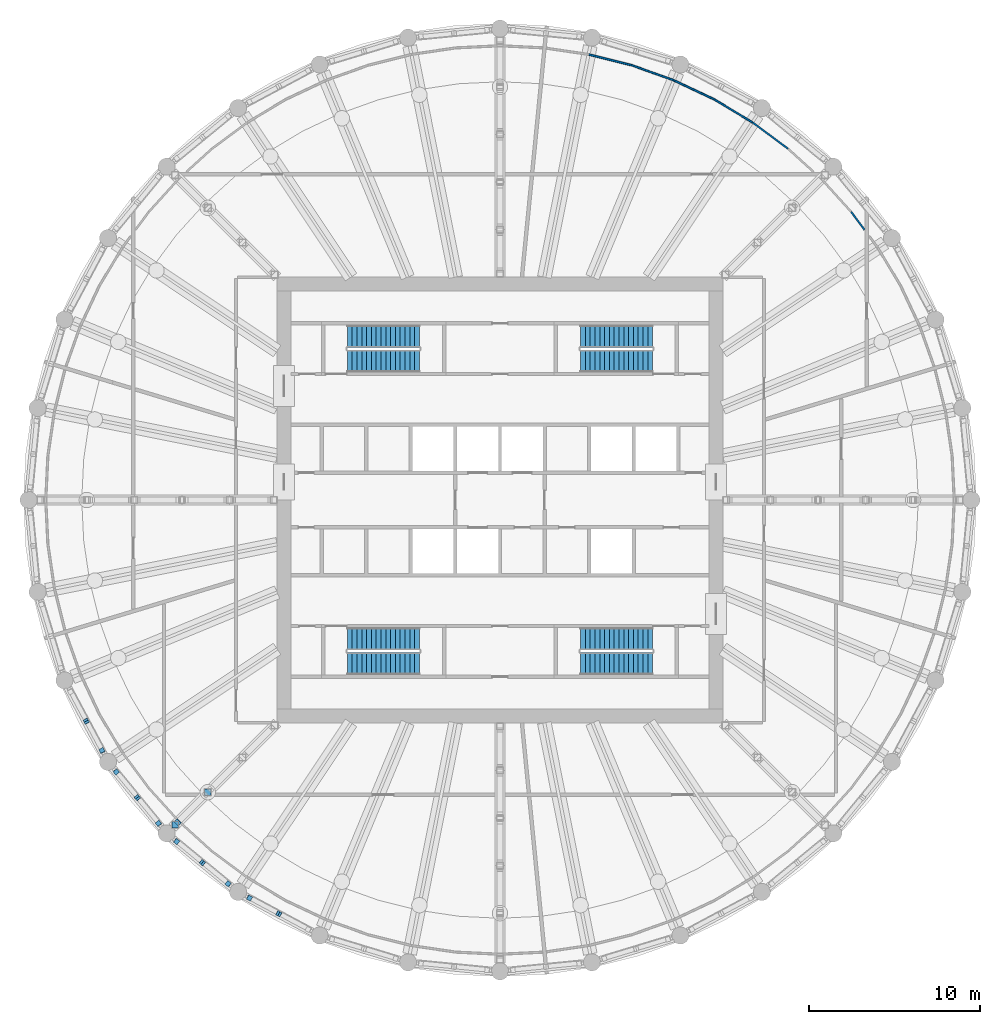
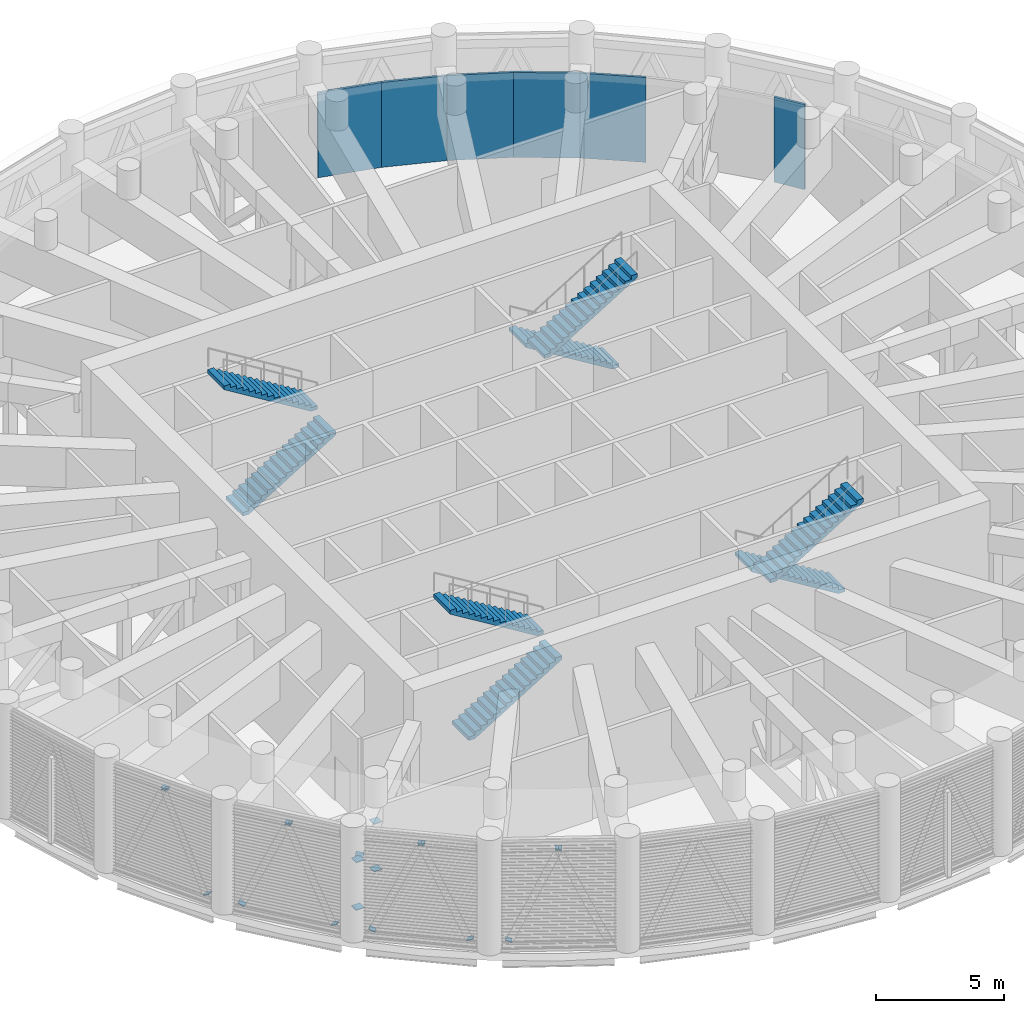
# One storey, part 12 of 24: 19 discrete accessories, 8 stair flights, 6 walls, 4 elements without a shape of their own.
"""IFC4 building model written with IfcOpenShell, lengths in metres."""

from ifc_helpers import new_model, si_unit, direction, frame, frame_2d, origin, origin_2d, place, context, subcontext, project, spatial, polyline, rectangle, outline, extrude, material, layer, layer_set, material_profile, profile_set, type_object, element, aggregate, save


model = new_model("IFC4")

# Units and contexts
model_context = context("Model", 3, precision=1e-05, world=origin(), true_north=direction((0.0, 1.0)))
body_context = subcontext(model_context, "Body", "Model", "MODEL_VIEW")
ifc_project = project(units=[si_unit("LENGTHUNIT", "METRE"), si_unit("AREAUNIT", "SQUARE_METRE"), si_unit("VOLUMEUNIT", "CUBIC_METRE"), si_unit("PLANEANGLEUNIT", "RADIAN"), si_unit("MASSUNIT", "GRAM", prefix="KILO")], contexts=[model_context])

# Site, building, storey
site_placement = place(None, origin())
site = spatial("IfcSite", under=ifc_project, at=site_placement, CompositionType="ELEMENT")
building_placement = place(site_placement, origin())
building = spatial("IfcBuilding", under=site, at=building_placement, Name="Corvane Civic Tower", CompositionType="ELEMENT")
storey_placement = place(building_placement, frame((0.0, 0.0, 257.5)))
storey = spatial("IfcBuildingStorey", under=building, at=storey_placement, Name="L61", CompositionType="ELEMENT", Elevation=257.5)

# Walls
ifc_material_1 = material(Name="Plasterboard")
ifc_layer = layer(ifc_material_1, 0.10009765625)
ifc_layer_set = layer_set([ifc_layer], Name="Plasterboard")
wall_type = type_object("IfcWallType", Name="Partition 100 plasterboard on studs", PredefinedType="PARTITIONING", material=ifc_layer_set)
wall_1_placement = place(storey_placement, frame((20.48388671875, 16.810546875, 0.0), z_axis=(0.0, 0.0, 1.0), x_axis=(0.595644195201, -0.803248400386, 0.0)))
element("IfcWall", 1, at=wall_1_placement, inside=storey, type_object=wall_type, Name="Partition L61.037", PredefinedType="PARTITIONING", context=body_context, shape_type="SweptSolid", body=[
    extrude(rectangle(XDim=1.302978515625, YDim=0.10009765625, at=frame_2d((0.6513671875, 0.0))), origin(), (0.0, 0.0, 1.0), 4.050048828125),
])
for number, where, z_axis, x_axis, name in (
    (2, (14.721923828125, 22.032958984375, 0.0), (0.0, 0.0, 1.0), (0.80319946448, -0.595710181429, 0.0), "Partition L61.045"),
    (3, (12.491455078125, 23.36962890625, 0.0), (0.0, 0.0, 1.0), (0.857766186151, -0.514040046977, 0.0), "Partition L61.047"),
):
    element("IfcWall", number, at=place(storey_placement, frame(where, z_axis=z_axis, x_axis=x_axis)), inside=storey, type_object=wall_type, Name=name, PredefinedType="PARTITIONING", context=body_context, shape_type="SweptSolid", body=[
        extrude(rectangle(XDim=2.600341796875, YDim=0.10009765625, at=frame_2d((1.30029296875, 0.0))), origin(), (0.0, 0.0, 1.0), 4.050048828125),
    ])
for number, where, z_axis, x_axis, name in (
    (4, (10.140625, 24.481689453125, 0.0), (0.0, 0.0, 1.0), (0.903959458652, -0.427618167427, 0.0), "Partition L61.049"),
    (5, (7.692138671875, 25.35791015625, 0.0), (0.0, 0.0, 1.0), (0.941527196798, -0.336936993649, 0.0), "Partition L61.051"),
):
    element("IfcWall", number, at=place(storey_placement, frame(where, z_axis=z_axis, x_axis=x_axis)), inside=storey, type_object=wall_type, Name=name, PredefinedType="PARTITIONING", context=body_context, shape_type="SweptSolid", body=[
        extrude(rectangle(XDim=2.6005859375, YDim=0.10009765625, at=frame_2d((1.30029296875, 0.0))), origin(), (0.0, 0.0, 1.0), 4.050048828125),
    ])
wall_2_placement = place(storey_placement, frame((5.169677734375, 25.98974609375, 0.0), z_axis=(0.0, 0.0, 1.0), x_axis=(0.970031945218, -0.242977417172, 0.0)))
element("IfcWall", 6, at=wall_2_placement, inside=storey, type_object=wall_type, Name="Partition L61.053", PredefinedType="PARTITIONING", context=body_context, shape_type="SweptSolid", body=[
    extrude(rectangle(XDim=2.600341796875, YDim=0.10009765625, at=frame_2d((1.30029296875, 0.0))), origin(), (0.0, 0.0, 1.0), 4.050048828125),
])

# Stair, stair flights
ifc_material_2 = material(Name="Concrete C40/50", Category="concrete")
stair_type = type_object("IfcStairType", Name="ST-STAIR-HALFTURN", PredefinedType="HALF_TURN_STAIR", material=ifc_material_2)
stair_1_placement = place(storey_placement, origin())
stair_1 = element("IfcStair", 7, at=stair_1_placement, inside=storey, type_object=stair_type, Name="L61 Exit stair ST1", PredefinedType="HALF_TURN_STAIR")
ifc_material_3 = material(Name="Concrete C40/50", Category="concrete")
stair_flight_type = type_object("IfcStairFlightType", Name="ST-FLIGHT-RC", PredefinedType="STRAIGHT", material=ifc_material_3)
stair_flight_1_placement = place(storey_placement, frame((8.89990234375, 9.550048828125, 0.0), z_axis=(0.0, 0.0, 1.0), x_axis=(-1.0, 0.0, 0.0)))
stair_flight_1 = element("IfcStairFlight", 8, at=stair_flight_1_placement, type_object=stair_flight_type, Name="ST1 flight 1", NumberOfRisers=16, NumberOfTreads=15, PredefinedType="STRAIGHT", RiserHeight=0.171875, TreadLength=0.28, context=body_context, shape_type="SweptSolid", body=[
    extrude(outline(polyline([(0.0, 0.0), (0.0, 0.171875), (0.280029296875, 0.171875), (0.280029296875, 0.34375), (0.56005859375, 0.34375), (0.56005859375, 0.515625), (0.840087890625, 0.515625), (0.840087890625, 0.6875), (1.1201171875, 0.6875), (1.1201171875, 0.859375), (1.39990234375, 0.859375), (1.39990234375, 1.03125), (1.679931640625, 1.03125), (1.679931640625, 1.203125), (1.9599609375, 1.203125), (1.9599609375, 1.375), (2.239990234375, 1.375), (2.239990234375, 1.546875), (2.52001953125, 1.546875), (2.52001953125, 1.71875), (2.800048828125, 1.71875), (2.800048828125, 1.890625), (3.080078125, 1.890625), (3.080078125, 2.0625), (3.360107421875, 2.0625), (3.360107421875, 2.234375), (3.639892578125, 2.234375), (3.639892578125, 2.40625), (3.919921875, 2.40625), (3.919921875, 2.578125), (4.199951171875, 2.578125), (4.199951171875, 2.75), (4.199951171875, 2.40234375), (0.28662109375, 0.0), (0.0, 0.0)])), frame((0.0, 0.64990234375, 0.0), z_axis=(0.0, -1.0, 0.0), x_axis=(1.0, 0.0, 0.0)), (0.0, 0.0, 1.0), 1.300048828125),
])
stair_flight_2_placement = place(storey_placement, frame((4.699951171875, 8.10009765625, 2.75), z_axis=(0.0, 0.0, 1.0), x_axis=(1.0, 0.0, 0.0)))
stair_flight_2 = element("IfcStairFlight", 9, at=stair_flight_2_placement, type_object=stair_flight_type, Name="ST1 flight 2", NumberOfRisers=16, NumberOfTreads=15, PredefinedType="STRAIGHT", RiserHeight=0.171875, TreadLength=0.28, context=body_context, shape_type="SweptSolid", body=[
    extrude(outline(polyline([(0.0, 0.0), (0.0, 0.171875), (0.280029296875, 0.171875), (0.280029296875, 0.34375), (0.56005859375, 0.34375), (0.56005859375, 0.515625), (0.840087890625, 0.515625), (0.840087890625, 0.6875), (1.1201171875, 0.6875), (1.1201171875, 0.859375), (1.39990234375, 0.859375), (1.39990234375, 1.03125), (1.679931640625, 1.03125), (1.679931640625, 1.203125), (1.9599609375, 1.203125), (1.9599609375, 1.375), (2.239990234375, 1.375), (2.239990234375, 1.546875), (2.52001953125, 1.546875), (2.52001953125, 1.71875), (2.800048828125, 1.71875), (2.800048828125, 1.890625), (3.080078125, 1.890625), (3.080078125, 2.0625), (3.360107421875, 2.0625), (3.360107421875, 2.234375), (3.639892578125, 2.234375), (3.639892578125, 2.40625), (3.919921875, 2.40625), (3.919921875, 2.578125), (4.199951171875, 2.578125), (4.199951171875, 2.75), (4.199951171875, 2.40234375), (0.28662109375, 0.0), (0.0, 0.0)])), frame((0.0, 0.64990234375, 0.0), z_axis=(0.0, -1.0, 0.0), x_axis=(1.0, 0.0, 0.0)), (0.0, 0.0, 1.0), 1.300048828125),
])
aggregate(stair_1, [stair_flight_1, stair_flight_2])

stair_2_placement = place(storey_placement, origin())
stair_2 = element("IfcStair", 10, at=stair_2_placement, inside=storey, type_object=stair_type, Name="L61 Exit stair ST2", PredefinedType="HALF_TURN_STAIR")
stair_flight_3_placement = place(storey_placement, frame((8.89990234375, -8.10009765625, 0.0), z_axis=(0.0, 0.0, 1.0), x_axis=(-1.0, 0.0, 0.0)))
stair_flight_3 = element("IfcStairFlight", 11, at=stair_flight_3_placement, type_object=stair_flight_type, Name="ST2 flight 1", NumberOfRisers=16, NumberOfTreads=15, PredefinedType="STRAIGHT", RiserHeight=0.171875, TreadLength=0.28, context=body_context, shape_type="SweptSolid", body=[
    extrude(outline(polyline([(0.0, 0.0), (0.0, 0.171875), (0.280029296875, 0.171875), (0.280029296875, 0.34375), (0.56005859375, 0.34375), (0.56005859375, 0.515625), (0.840087890625, 0.515625), (0.840087890625, 0.6875), (1.1201171875, 0.6875), (1.1201171875, 0.859375), (1.39990234375, 0.859375), (1.39990234375, 1.03125), (1.679931640625, 1.03125), (1.679931640625, 1.203125), (1.9599609375, 1.203125), (1.9599609375, 1.375), (2.239990234375, 1.375), (2.239990234375, 1.546875), (2.52001953125, 1.546875), (2.52001953125, 1.71875), (2.800048828125, 1.71875), (2.800048828125, 1.890625), (3.080078125, 1.890625), (3.080078125, 2.0625), (3.360107421875, 2.0625), (3.360107421875, 2.234375), (3.639892578125, 2.234375), (3.639892578125, 2.40625), (3.919921875, 2.40625), (3.919921875, 2.578125), (4.199951171875, 2.578125), (4.199951171875, 2.75), (4.199951171875, 2.40234375), (0.28662109375, 0.0), (0.0, 0.0)])), frame((0.0, 0.64990234375, 0.0), z_axis=(0.0, -1.0, 0.0), x_axis=(1.0, 0.0, 0.0)), (0.0, 0.0, 1.0), 1.300048828125),
])
stair_flight_4_placement = place(storey_placement, frame((4.699951171875, -9.550048828125, 2.75), z_axis=(0.0, 0.0, 1.0), x_axis=(1.0, 0.0, 0.0)))
stair_flight_4 = element("IfcStairFlight", 12, at=stair_flight_4_placement, type_object=stair_flight_type, Name="ST2 flight 2", NumberOfRisers=16, NumberOfTreads=15, PredefinedType="STRAIGHT", RiserHeight=0.171875, TreadLength=0.28, context=body_context, shape_type="SweptSolid", body=[
    extrude(outline(polyline([(0.0, 0.0), (0.0, 0.171875), (0.280029296875, 0.171875), (0.280029296875, 0.34375), (0.56005859375, 0.34375), (0.56005859375, 0.515625), (0.840087890625, 0.515625), (0.840087890625, 0.6875), (1.1201171875, 0.6875), (1.1201171875, 0.859375), (1.39990234375, 0.859375), (1.39990234375, 1.03125), (1.679931640625, 1.03125), (1.679931640625, 1.203125), (1.9599609375, 1.203125), (1.9599609375, 1.375), (2.239990234375, 1.375), (2.239990234375, 1.546875), (2.52001953125, 1.546875), (2.52001953125, 1.71875), (2.800048828125, 1.71875), (2.800048828125, 1.890625), (3.080078125, 1.890625), (3.080078125, 2.0625), (3.360107421875, 2.0625), (3.360107421875, 2.234375), (3.639892578125, 2.234375), (3.639892578125, 2.40625), (3.919921875, 2.40625), (3.919921875, 2.578125), (4.199951171875, 2.578125), (4.199951171875, 2.75), (4.199951171875, 2.40234375), (0.28662109375, 0.0), (0.0, 0.0)])), frame((0.0, 0.64990234375, 0.0), z_axis=(0.0, -1.0, 0.0), x_axis=(1.0, 0.0, 0.0)), (0.0, 0.0, 1.0), 1.300048828125),
])
aggregate(stair_2, [stair_flight_3, stair_flight_4])

stair_3_placement = place(storey_placement, origin())
stair_3 = element("IfcStair", 13, at=stair_3_placement, inside=storey, type_object=stair_type, Name="L61 Exit stair ST3", PredefinedType="HALF_TURN_STAIR")
stair_flight_5_placement = place(storey_placement, frame((-8.89990234375, -9.550048828125, 0.0), z_axis=(0.0, 0.0, 1.0), x_axis=(1.0, 0.0, 0.0)))
stair_flight_5 = element("IfcStairFlight", 14, at=stair_flight_5_placement, type_object=stair_flight_type, Name="ST3 flight 1", NumberOfRisers=16, NumberOfTreads=15, PredefinedType="STRAIGHT", RiserHeight=0.171875, TreadLength=0.28, context=body_context, shape_type="SweptSolid", body=[
    extrude(outline(polyline([(0.0, 0.0), (0.0, 0.171875), (0.280029296875, 0.171875), (0.280029296875, 0.34375), (0.56005859375, 0.34375), (0.56005859375, 0.515625), (0.840087890625, 0.515625), (0.840087890625, 0.6875), (1.1201171875, 0.6875), (1.1201171875, 0.859375), (1.39990234375, 0.859375), (1.39990234375, 1.03125), (1.679931640625, 1.03125), (1.679931640625, 1.203125), (1.9599609375, 1.203125), (1.9599609375, 1.375), (2.239990234375, 1.375), (2.239990234375, 1.546875), (2.52001953125, 1.546875), (2.52001953125, 1.71875), (2.800048828125, 1.71875), (2.800048828125, 1.890625), (3.080078125, 1.890625), (3.080078125, 2.0625), (3.360107421875, 2.0625), (3.360107421875, 2.234375), (3.639892578125, 2.234375), (3.639892578125, 2.40625), (3.919921875, 2.40625), (3.919921875, 2.578125), (4.199951171875, 2.578125), (4.199951171875, 2.75), (4.199951171875, 2.40234375), (0.28662109375, 0.0), (0.0, 0.0)])), frame((0.0, 0.64990234375, 0.0), z_axis=(0.0, -1.0, 0.0), x_axis=(1.0, 0.0, 0.0)), (0.0, 0.0, 1.0), 1.300048828125),
])
stair_flight_6_placement = place(storey_placement, frame((-4.699951171875, -8.10009765625, 2.75), z_axis=(0.0, 0.0, 1.0), x_axis=(-1.0, 0.0, 0.0)))
stair_flight_6 = element("IfcStairFlight", 15, at=stair_flight_6_placement, type_object=stair_flight_type, Name="ST3 flight 2", NumberOfRisers=16, NumberOfTreads=15, PredefinedType="STRAIGHT", RiserHeight=0.171875, TreadLength=0.28, context=body_context, shape_type="SweptSolid", body=[
    extrude(outline(polyline([(0.0, 0.0), (0.0, 0.171875), (0.280029296875, 0.171875), (0.280029296875, 0.34375), (0.56005859375, 0.34375), (0.56005859375, 0.515625), (0.840087890625, 0.515625), (0.840087890625, 0.6875), (1.1201171875, 0.6875), (1.1201171875, 0.859375), (1.39990234375, 0.859375), (1.39990234375, 1.03125), (1.679931640625, 1.03125), (1.679931640625, 1.203125), (1.9599609375, 1.203125), (1.9599609375, 1.375), (2.239990234375, 1.375), (2.239990234375, 1.546875), (2.52001953125, 1.546875), (2.52001953125, 1.71875), (2.800048828125, 1.71875), (2.800048828125, 1.890625), (3.080078125, 1.890625), (3.080078125, 2.0625), (3.360107421875, 2.0625), (3.360107421875, 2.234375), (3.639892578125, 2.234375), (3.639892578125, 2.40625), (3.919921875, 2.40625), (3.919921875, 2.578125), (4.199951171875, 2.578125), (4.199951171875, 2.75), (4.199951171875, 2.40234375), (0.28662109375, 0.0), (0.0, 0.0)])), frame((0.0, 0.64990234375, 0.0), z_axis=(0.0, -1.0, 0.0), x_axis=(1.0, 0.0, 0.0)), (0.0, 0.0, 1.0), 1.300048828125),
])
aggregate(stair_3, [stair_flight_5, stair_flight_6])

stair_4_placement = place(storey_placement, origin())
stair_4 = element("IfcStair", 16, at=stair_4_placement, inside=storey, type_object=stair_type, Name="L61 Exit stair ST4", PredefinedType="HALF_TURN_STAIR")
stair_flight_7_placement = place(storey_placement, frame((-8.89990234375, 8.10009765625, 0.0), z_axis=(0.0, 0.0, 1.0), x_axis=(1.0, 0.0, 0.0)))
stair_flight_7 = element("IfcStairFlight", 17, at=stair_flight_7_placement, type_object=stair_flight_type, Name="ST4 flight 1", NumberOfRisers=16, NumberOfTreads=15, PredefinedType="STRAIGHT", RiserHeight=0.171875, TreadLength=0.28, context=body_context, shape_type="SweptSolid", body=[
    extrude(outline(polyline([(0.0, 0.0), (0.0, 0.171875), (0.280029296875, 0.171875), (0.280029296875, 0.34375), (0.56005859375, 0.34375), (0.56005859375, 0.515625), (0.840087890625, 0.515625), (0.840087890625, 0.6875), (1.1201171875, 0.6875), (1.1201171875, 0.859375), (1.39990234375, 0.859375), (1.39990234375, 1.03125), (1.679931640625, 1.03125), (1.679931640625, 1.203125), (1.9599609375, 1.203125), (1.9599609375, 1.375), (2.239990234375, 1.375), (2.239990234375, 1.546875), (2.52001953125, 1.546875), (2.52001953125, 1.71875), (2.800048828125, 1.71875), (2.800048828125, 1.890625), (3.080078125, 1.890625), (3.080078125, 2.0625), (3.360107421875, 2.0625), (3.360107421875, 2.234375), (3.639892578125, 2.234375), (3.639892578125, 2.40625), (3.919921875, 2.40625), (3.919921875, 2.578125), (4.199951171875, 2.578125), (4.199951171875, 2.75), (4.199951171875, 2.40234375), (0.28662109375, 0.0), (0.0, 0.0)])), frame((0.0, 0.64990234375, 0.0), z_axis=(0.0, -1.0, 0.0), x_axis=(1.0, 0.0, 0.0)), (0.0, 0.0, 1.0), 1.300048828125),
])
stair_flight_8_placement = place(storey_placement, frame((-4.699951171875, 9.550048828125, 2.75), z_axis=(0.0, 0.0, 1.0), x_axis=(-1.0, 0.0, 0.0)))
stair_flight_8 = element("IfcStairFlight", 18, at=stair_flight_8_placement, type_object=stair_flight_type, Name="ST4 flight 2", NumberOfRisers=16, NumberOfTreads=15, PredefinedType="STRAIGHT", RiserHeight=0.171875, TreadLength=0.28, context=body_context, shape_type="SweptSolid", body=[
    extrude(outline(polyline([(0.0, 0.0), (0.0, 0.171875), (0.280029296875, 0.171875), (0.280029296875, 0.34375), (0.56005859375, 0.34375), (0.56005859375, 0.515625), (0.840087890625, 0.515625), (0.840087890625, 0.6875), (1.1201171875, 0.6875), (1.1201171875, 0.859375), (1.39990234375, 0.859375), (1.39990234375, 1.03125), (1.679931640625, 1.03125), (1.679931640625, 1.203125), (1.9599609375, 1.203125), (1.9599609375, 1.375), (2.239990234375, 1.375), (2.239990234375, 1.546875), (2.52001953125, 1.546875), (2.52001953125, 1.71875), (2.800048828125, 1.71875), (2.800048828125, 1.890625), (3.080078125, 1.890625), (3.080078125, 2.0625), (3.360107421875, 2.0625), (3.360107421875, 2.234375), (3.639892578125, 2.234375), (3.639892578125, 2.40625), (3.919921875, 2.40625), (3.919921875, 2.578125), (4.199951171875, 2.578125), (4.199951171875, 2.75), (4.199951171875, 2.40234375), (0.28662109375, 0.0), (0.0, 0.0)])), frame((0.0, 0.64990234375, 0.0), z_axis=(0.0, -1.0, 0.0), x_axis=(1.0, 0.0, 0.0)), (0.0, 0.0, 1.0), 1.300048828125),
])
aggregate(stair_4, [stair_flight_7, stair_flight_8])

# Discrete accessories
ifc_material_4 = material(Name="Steel ASTM A572 Gr 50", Category="steel")
ifc_material_profile_1 = material_profile(ifc_material_4, rectangle(XDim=0.2802734375, YDim=0.2802734375, at=origin_2d()), Name="GUSSET PLATE 25 IN HSS12X12X1/2")
ifc_profile_set_1 = profile_set([ifc_material_profile_1], Name="Steel ASTM A572 Gr 50")
discrete_accessory_type_1 = type_object("IfcDiscreteAccessoryType", Name="GUSSET PLATE 25 IN HSS12X12X1/2", PredefinedType="BRACKET", material=ifc_profile_set_1)
discrete_accessory_1_placement = place(storey_placement, frame((-12.90087890625, -24.13623046875, 4.74365234375), z_axis=(0.359953516674, -0.184840995049, -0.914476501821), x_axis=(0.456804684993, 0.889567018144, 0.0)))
element("IfcDiscreteAccessory", 19, at=discrete_accessory_1_placement, inside=storey, type_object=discrete_accessory_type_1, Name="Gusset plate BD1 end B", PredefinedType="BRACKET", context=body_context, shape_type="SweptSolid", body=[
    extrude(rectangle(XDim=0.2802734375, YDim=0.2802734375, at=origin_2d()), origin(), (0.0, 0.0, 1.0), 0.025146484375),
])
discrete_accessory_2_placement = place(storey_placement, frame((-14.61669921875, -23.218994140625, 0.406494140625), z_axis=(0.362501282592, -0.195946639239, 0.911151872461), x_axis=(0.475517034365, 0.879706513576, 0.0)))
element("IfcDiscreteAccessory", 20, at=discrete_accessory_2_placement, inside=storey, type_object=discrete_accessory_type_1, Name="Gusset plate BD1 end A", PredefinedType="BRACKET", context=body_context, shape_type="SweptSolid", body=[
    extrude(rectangle(XDim=0.2802734375, YDim=0.2802734375, at=origin_2d()), origin(), (0.0, 0.0, 1.0), 0.02490234375),
])
discrete_accessory_3_placement = place(storey_placement, frame((-12.90087890625, -24.13623046875, 4.74365234375), z_axis=(-0.35929104061, 0.194211373302, -0.912793454522), x_axis=(-0.475517034365, -0.879706513576, 0.0)))
element("IfcDiscreteAccessory", 21, at=discrete_accessory_3_placement, inside=storey, type_object=discrete_accessory_type_1, Name="Gusset plate BD1 end B", PredefinedType="BRACKET", context=body_context, shape_type="SweptSolid", body=[
    extrude(rectangle(XDim=0.2802734375, YDim=0.2802734375, at=origin_2d()), origin(), (0.0, 0.0, 1.0), 0.025146484375),
])
discrete_accessory_4_placement = place(storey_placement, frame((-15.85791015625, -22.3896484375, 0.406494140625), z_axis=(-0.314558036205, 0.255578404416, 0.91418429272), x_axis=(-0.630592625094, -0.776114000116, 0.0)))
element("IfcDiscreteAccessory", 22, at=discrete_accessory_4_placement, inside=storey, type_object=discrete_accessory_type_1, Name="Gusset plate BD1 end A", PredefinedType="BRACKET", context=body_context, shape_type="SweptSolid", body=[
    extrude(rectangle(XDim=0.2802734375, YDim=0.2802734375, at=origin_2d()), origin(), (0.0, 0.0, 1.0), 0.02490234375),
])
discrete_accessory_5_placement = place(storey_placement, frame((-17.36181640625, -21.155517578125, 4.74365234375), z_axis=(0.310972871685, -0.262383360484, -0.913482810575), x_axis=(0.64487093921, 0.764291483508, 0.0)))
element("IfcDiscreteAccessory", 23, at=discrete_accessory_5_placement, inside=storey, type_object=discrete_accessory_type_1, Name="Gusset plate BD1 end B", PredefinedType="BRACKET", context=body_context, shape_type="SweptSolid", body=[
    extrude(rectangle(XDim=0.2802734375, YDim=0.2802734375, at=origin_2d()), origin(), (0.0, 0.0, 1.0), 0.025146484375),
])
discrete_accessory_6_placement = place(storey_placement, frame((-18.86572265625, -19.92138671875, 0.406494140625), z_axis=(0.314558036205, -0.255578404416, 0.91418429272), x_axis=(0.630592625094, 0.776114000116, 0.0)))
element("IfcDiscreteAccessory", 24, at=discrete_accessory_6_placement, inside=storey, type_object=discrete_accessory_type_1, Name="Gusset plate BD1 end A", PredefinedType="BRACKET", context=body_context, shape_type="SweptSolid", body=[
    extrude(rectangle(XDim=0.2802734375, YDim=0.2802734375, at=origin_2d()), origin(), (0.0, 0.0, 1.0), 0.02490234375),
])
discrete_accessory_7_placement = place(storey_placement, frame((-17.36181640625, -21.155517578125, 4.74365234375), z_axis=(-0.310972871685, 0.262383360484, -0.913482810575), x_axis=(-0.64487093921, -0.764291483508, 0.0)))
element("IfcDiscreteAccessory", 25, at=discrete_accessory_7_placement, inside=storey, type_object=discrete_accessory_type_1, Name="Gusset plate BD1 end B", PredefinedType="BRACKET", context=body_context, shape_type="SweptSolid", body=[
    extrude(rectangle(XDim=0.2802734375, YDim=0.2802734375, at=origin_2d()), origin(), (0.0, 0.0, 1.0), 0.025146484375),
])
discrete_accessory_8_placement = place(storey_placement, frame((-19.92138671875, -18.86572265625, 0.406494140625), z_axis=(-0.255578404416, 0.314558036205, 0.91418429272), x_axis=(-0.776114000116, -0.630592625094, 0.0)))
element("IfcDiscreteAccessory", 26, at=discrete_accessory_8_placement, inside=storey, type_object=discrete_accessory_type_1, Name="Gusset plate BD1 end A", PredefinedType="BRACKET", context=body_context, shape_type="SweptSolid", body=[
    extrude(rectangle(XDim=0.2802734375, YDim=0.2802734375, at=origin_2d()), origin(), (0.0, 0.0, 1.0), 0.02490234375),
])
discrete_accessory_9_placement = place(storey_placement, frame((-21.155517578125, -17.36181640625, 4.74365234375), z_axis=(0.262383360484, -0.310972871685, -0.913482810575), x_axis=(0.764291483508, 0.64487093921, 0.0)))
element("IfcDiscreteAccessory", 27, at=discrete_accessory_9_placement, inside=storey, type_object=discrete_accessory_type_1, Name="Gusset plate BD1 end B", PredefinedType="BRACKET", context=body_context, shape_type="SweptSolid", body=[
    extrude(rectangle(XDim=0.2802734375, YDim=0.2802734375, at=origin_2d()), origin(), (0.0, 0.0, 1.0), 0.025146484375),
])
discrete_accessory_10_placement = place(storey_placement, frame((-22.3896484375, -15.85791015625, 0.406494140625), z_axis=(0.255578404416, -0.314558036205, 0.91418429272), x_axis=(0.776114000116, 0.630592625094, 0.0)))
element("IfcDiscreteAccessory", 28, at=discrete_accessory_10_placement, inside=storey, type_object=discrete_accessory_type_1, Name="Gusset plate BD1 end A", PredefinedType="BRACKET", context=body_context, shape_type="SweptSolid", body=[
    extrude(rectangle(XDim=0.2802734375, YDim=0.2802734375, at=origin_2d()), origin(), (0.0, 0.0, 1.0), 0.02490234375),
])
discrete_accessory_11_placement = place(storey_placement, frame((-21.155517578125, -17.36181640625, 4.74365234375), z_axis=(-0.262383360484, 0.310972871685, -0.913482810575), x_axis=(-0.764291483508, -0.64487093921, 0.0)))
element("IfcDiscreteAccessory", 29, at=discrete_accessory_11_placement, inside=storey, type_object=discrete_accessory_type_1, Name="Gusset plate BD1 end B", PredefinedType="BRACKET", context=body_context, shape_type="SweptSolid", body=[
    extrude(rectangle(XDim=0.2802734375, YDim=0.2802734375, at=origin_2d()), origin(), (0.0, 0.0, 1.0), 0.025146484375),
])
discrete_accessory_12_placement = place(storey_placement, frame((-23.218994140625, -14.61669921875, 0.406494140625), z_axis=(-0.195946639239, 0.362501282592, 0.911151872461), x_axis=(-0.879706513576, -0.475517034365, 0.0)))
element("IfcDiscreteAccessory", 30, at=discrete_accessory_12_placement, inside=storey, type_object=discrete_accessory_type_1, Name="Gusset plate BD1 end A", PredefinedType="BRACKET", context=body_context, shape_type="SweptSolid", body=[
    extrude(rectangle(XDim=0.2802734375, YDim=0.2802734375, at=origin_2d()), origin(), (0.0, 0.0, 1.0), 0.02490234375),
])
for number, where, z_axis, x_axis, name in (
    (31, (-24.13623046875, -12.90087890625, 4.74365234375), (0.194211373302, -0.35929104061, -0.912793454522), (0.879706513576, 0.475517034365, 0.0), "Gusset plate BD1 end B"),
    (32, (-24.13623046875, -12.90087890625, 4.74365234375), (-0.184840995049, 0.359953516674, -0.914476501821), (-0.889567018144, -0.456804684993, 0.0), "Gusset plate BD1 end B"),
):
    element("IfcDiscreteAccessory", number, at=place(storey_placement, frame(where, z_axis=z_axis, x_axis=x_axis)), inside=storey, type_object=discrete_accessory_type_1, Name=name, PredefinedType="BRACKET", context=body_context, shape_type="SweptSolid", body=[
        extrude(rectangle(XDim=0.2802734375, YDim=0.2802734375, at=origin_2d()), origin(), (0.0, 0.0, 1.0), 0.025146484375),
    ])
ifc_material_5 = material(Name="Steel ASTM A572 Gr 50", Category="steel")
ifc_material_profile_2 = material_profile(ifc_material_5, rectangle(XDim=0.3310546875, YDim=0.3310546875, at=origin_2d()), Name="GUSSET PLATE 25 IN HSS14X14X1/2")
ifc_profile_set_2 = profile_set([ifc_material_profile_2], Name="Steel ASTM A572 Gr 50")
discrete_accessory_type_2 = type_object("IfcDiscreteAccessoryType", Name="GUSSET PLATE 25 IN HSS14X14X1/2", PredefinedType="BRACKET", material=ifc_profile_set_2)
discrete_accessory_13_placement = place(storey_placement, frame((-18.804443359375, -18.804443359375, 3.199951171875), z_axis=(0.500433087998, 0.500433087998, -0.706493771291), x_axis=(-0.707106781187, 0.707106781187, 0.0)))
element("IfcDiscreteAccessory", 33, at=discrete_accessory_13_placement, inside=storey, type_object=discrete_accessory_type_2, Name="Gusset plate OD1 end B", PredefinedType="BRACKET", context=body_context, shape_type="SweptSolid", body=[
    extrude(rectangle(XDim=0.3310546875, YDim=0.3310546875, at=origin_2d()), origin(), (0.0, 0.0, 1.0), 0.02490234375),
])
ifc_material_6 = material(Name="Steel ASTM A572 Gr 50", Category="steel")
ifc_material_profile_3 = material_profile(ifc_material_6, rectangle(XDim=0.3759765625, YDim=0.3759765625, at=origin_2d()), Name="GUSSET PLATE 25 IN HSS16X16X5/8")
ifc_profile_set_3 = profile_set([ifc_material_profile_3], Name="Steel ASTM A572 Gr 50")
discrete_accessory_type_3 = type_object("IfcDiscreteAccessoryType", Name="GUSSET PLATE 25 IN HSS16X16X5/8", PredefinedType="BRACKET", material=ifc_profile_set_3)
discrete_accessory_14_placement = place(storey_placement, frame((-17.041259765625, -17.041259765625, 0.89990234375), z_axis=(0.0, 0.0, 1.0), x_axis=(1.0, 0.0, 0.0)))
element("IfcDiscreteAccessory", 34, at=discrete_accessory_14_placement, inside=storey, type_object=discrete_accessory_type_3, Name="Gusset plate OP1 end A", PredefinedType="BRACKET", context=body_context, shape_type="SweptSolid", body=[
    extrude(rectangle(XDim=0.3759765625, YDim=0.3759765625, at=origin_2d()), origin(), (0.0, 0.0, 1.0), 0.025146484375),
])
discrete_accessory_15_placement = place(storey_placement, frame((-17.041259765625, -17.041259765625, 3.199951171875), z_axis=(0.0, 0.0, -1.0), x_axis=(1.0, 0.0, 0.0)))
element("IfcDiscreteAccessory", 35, at=discrete_accessory_15_placement, inside=storey, type_object=discrete_accessory_type_3, Name="Gusset plate OP1 end B", PredefinedType="BRACKET", context=body_context, shape_type="SweptSolid", body=[
    extrude(rectangle(XDim=0.3759765625, YDim=0.3759765625, at=origin_2d()), origin(), (0.0, 0.0, 1.0), 0.02490234375),
])
discrete_accessory_16_placement = place(storey_placement, frame((-18.9482421875, -18.9482421875, 0.89990234375), z_axis=(0.0, 0.0, 1.0), x_axis=(1.0, 0.0, 0.0)))
element("IfcDiscreteAccessory", 36, at=discrete_accessory_16_placement, inside=storey, type_object=discrete_accessory_type_3, Name="Gusset plate OP1 end A", PredefinedType="BRACKET", context=body_context, shape_type="SweptSolid", body=[
    extrude(rectangle(XDim=0.3759765625, YDim=0.3759765625, at=origin_2d()), origin(), (0.0, 0.0, 1.0), 0.025146484375),
])
discrete_accessory_17_placement = place(storey_placement, frame((-18.9482421875, -18.9482421875, 3.199951171875), z_axis=(0.0, 0.0, -1.0), x_axis=(1.0, 0.0, 0.0)))
element("IfcDiscreteAccessory", 37, at=discrete_accessory_17_placement, inside=storey, type_object=discrete_accessory_type_3, Name="Gusset plate OP1 end B", PredefinedType="BRACKET", context=body_context, shape_type="SweptSolid", body=[
    extrude(rectangle(XDim=0.3759765625, YDim=0.3759765625, at=origin_2d()), origin(), (0.0, 0.0, 1.0), 0.02490234375),
])

save(model, "model.ifc")
